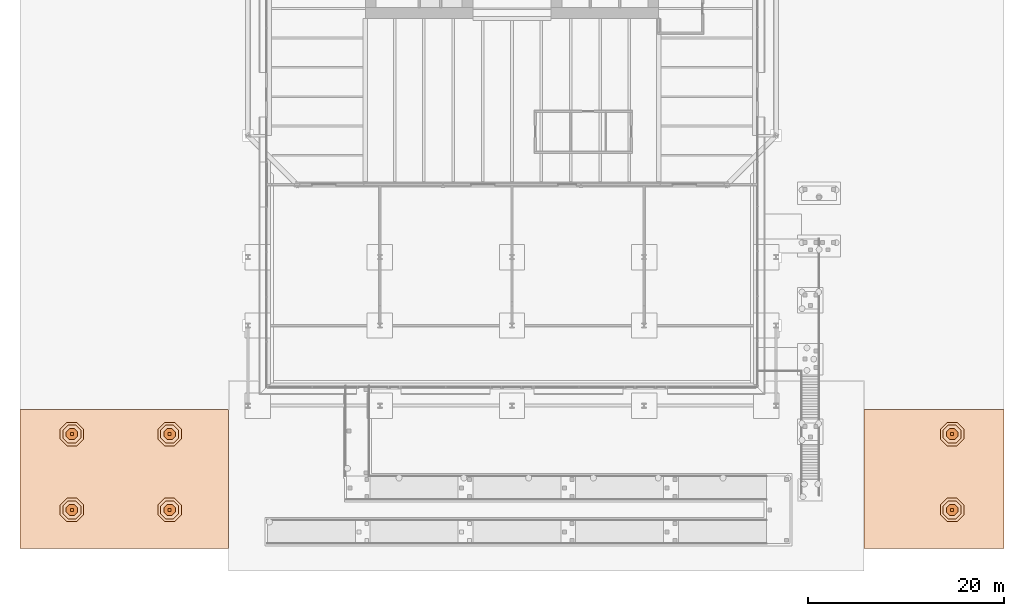
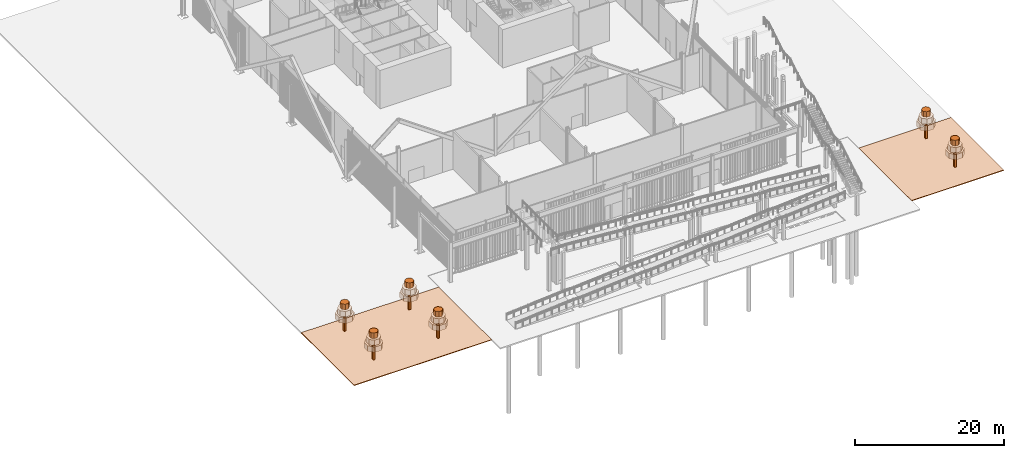
# One storey, part 27 of 28: 26 geographic elements.
"""IFC4 building model written with IfcOpenShell, lengths in metres."""

from ifc_helpers import new_model, si_unit, direction, frame, origin, origin_2d, place, context, subcontext, project, spatial, polyline, rectangle, outline, extrude, material, layer, layer_set, type_object, element, save


model = new_model("IFC4")

# Units and contexts
model_context = context("Model", 3, precision=1e-05, world=origin(), true_north=direction((0.0, 1.0)))
body_context = subcontext(model_context, "Body", "Model", "MODEL_VIEW")
ifc_project = project(units=[si_unit("LENGTHUNIT", "METRE"), si_unit("AREAUNIT", "SQUARE_METRE"), si_unit("VOLUMEUNIT", "CUBIC_METRE"), si_unit("PLANEANGLEUNIT", "RADIAN"), si_unit("MASSUNIT", "GRAM", prefix="KILO")], contexts=[model_context])

# Site, building, storey
site_placement = place(None, origin())
site = spatial("IfcSite", under=ifc_project, at=site_placement, CompositionType="ELEMENT")
building_placement = place(site_placement, origin())
building = spatial("IfcBuilding", under=site, at=building_placement, Name="Millrace Tower", CompositionType="ELEMENT")
storey_placement = place(building_placement, origin())
storey = spatial("IfcBuildingStorey", under=building, at=storey_placement, Name="L01", CompositionType="ELEMENT", Elevation=0.0)

# Geographic elements
ifc_material_1 = material(Name="Planting")
ifc_layer = layer(ifc_material_1, 0.10009765625)
ifc_layer_set = layer_set([ifc_layer], Name="Planting")
geographic_element_type_1 = type_object("IfcGeographicElementType", Name="GARDEN lawn", PredefinedType="USERDEFINED", material=ifc_layer_set)
placement_1 = place(storey_placement, frame((0.0, 0.0, -0.10009765625)))
element("IfcGeographicElement", 1, at=placement_1, inside=storey, type_object=geographic_element_type_1, Name="Garden lawn 1", ObjectType="LAWN", PredefinedType="USERDEFINED", context=body_context, shape_type="SweptSolid", body=[
    extrude(outline(polyline([(-50.300048828125, -64.199951171875), (-50.300048828125, -50.0), (-29.0, -50.0), (-29.0, -64.199951171875), (-50.300048828125, -64.199951171875)])), origin(), (0.0, 0.0, 1.0), 0.10009765625),
])
element("IfcGeographicElement", 2, at=placement_1, inside=storey, type_object=geographic_element_type_1, Name="Garden lawn 2", ObjectType="LAWN", PredefinedType="USERDEFINED", context=body_context, shape_type="SweptSolid", body=[
    extrude(outline(polyline([(50.300048828125, -50.0), (50.300048828125, -64.199951171875), (36.0, -64.199951171875), (36.0, -50.0), (50.300048828125, -50.0)])), origin(), (0.0, 0.0, 1.0), 0.10009765625),
])
ifc_material_2 = material(Name="Planting tree crown")
geographic_element_type_2 = type_object("IfcGeographicElementType", Name="Tree crown", PredefinedType="USERDEFINED", material=ifc_material_2)
placement_2 = place(storey_placement, frame((0.0, 0.0, 2.0)))
element("IfcGeographicElement", 3, at=placement_2, inside=storey, type_object=geographic_element_type_2, Name="Tree crown GARDEN-01 tier 1", ObjectType="TREE", PredefinedType="USERDEFINED", context=body_context, shape_type="SweptSolid", body=[
    extrude(outline(polyline([(-43.799072265625, -52.00244140625), (-44.50244140625, -51.299072265625), (-45.49755859375, -51.299072265625), (-46.200927734375, -52.00244140625), (-46.200927734375, -52.99755859375), (-45.49755859375, -53.700927734375), (-44.50244140625, -53.700927734375), (-43.799072265625, -52.99755859375), (-43.799072265625, -52.00244140625)])), origin(), (0.0, 0.0, 1.0), 0.89990234375),
])
placement_3 = place(storey_placement, frame((0.0, 0.0, 2.89990234375)))
element("IfcGeographicElement", 4, at=placement_3, inside=storey, type_object=geographic_element_type_2, Name="Tree crown GARDEN-01 tier 2", ObjectType="TREE", PredefinedType="USERDEFINED", context=body_context, shape_type="SweptSolid", body=[
    extrude(outline(polyline([(-44.076171875, -52.1171875), (-44.6171875, -51.576171875), (-45.3828125, -51.576171875), (-45.923828125, -52.1171875), (-45.923828125, -52.8828125), (-45.3828125, -53.423828125), (-44.6171875, -53.423828125), (-44.076171875, -52.8828125), (-44.076171875, -52.1171875)])), origin(), (0.0, 0.0, 1.0), 0.900146484375),
])
placement_4 = place(storey_placement, frame((0.0, 0.0, 3.800048828125)))
element("IfcGeographicElement", 5, at=placement_4, inside=storey, type_object=geographic_element_type_2, Name="Tree crown GARDEN-01 tier 3", ObjectType="TREE", PredefinedType="USERDEFINED", context=body_context, shape_type="SweptSolid", body=[
    extrude(outline(polyline([(-44.42724609375, -52.2626953125), (-44.7626953125, -51.92724609375), (-45.2373046875, -51.92724609375), (-45.57275390625, -52.2626953125), (-45.57275390625, -52.7373046875), (-45.2373046875, -53.07275390625), (-44.7626953125, -53.07275390625), (-44.42724609375, -52.7373046875), (-44.42724609375, -52.2626953125)])), origin(), (0.0, 0.0, 1.0), 0.89990234375),
])
element("IfcGeographicElement", 6, at=placement_2, inside=storey, type_object=geographic_element_type_2, Name="Tree crown GARDEN-02 tier 1", ObjectType="TREE", PredefinedType="USERDEFINED", context=body_context, shape_type="SweptSolid", body=[
    extrude(outline(polyline([(-33.799072265625, -52.00244140625), (-34.50244140625, -51.299072265625), (-35.49755859375, -51.299072265625), (-36.200927734375, -52.00244140625), (-36.200927734375, -52.99755859375), (-35.49755859375, -53.700927734375), (-34.50244140625, -53.700927734375), (-33.799072265625, -52.99755859375), (-33.799072265625, -52.00244140625)])), origin(), (0.0, 0.0, 1.0), 0.89990234375),
])
element("IfcGeographicElement", 7, at=placement_3, inside=storey, type_object=geographic_element_type_2, Name="Tree crown GARDEN-02 tier 2", ObjectType="TREE", PredefinedType="USERDEFINED", context=body_context, shape_type="SweptSolid", body=[
    extrude(outline(polyline([(-34.076171875, -52.1171875), (-34.6171875, -51.576171875), (-35.3828125, -51.576171875), (-35.923828125, -52.1171875), (-35.923828125, -52.8828125), (-35.3828125, -53.423828125), (-34.6171875, -53.423828125), (-34.076171875, -52.8828125), (-34.076171875, -52.1171875)])), origin(), (0.0, 0.0, 1.0), 0.900146484375),
])
element("IfcGeographicElement", 8, at=placement_4, inside=storey, type_object=geographic_element_type_2, Name="Tree crown GARDEN-02 tier 3", ObjectType="TREE", PredefinedType="USERDEFINED", context=body_context, shape_type="SweptSolid", body=[
    extrude(outline(polyline([(-34.42724609375, -52.2626953125), (-34.7626953125, -51.92724609375), (-35.2373046875, -51.92724609375), (-35.57275390625, -52.2626953125), (-35.57275390625, -52.7373046875), (-35.2373046875, -53.07275390625), (-34.7626953125, -53.07275390625), (-34.42724609375, -52.7373046875), (-34.42724609375, -52.2626953125)])), origin(), (0.0, 0.0, 1.0), 0.89990234375),
])
element("IfcGeographicElement", 9, at=placement_2, inside=storey, type_object=geographic_element_type_2, Name="Tree crown GARDEN-03 tier 1", ObjectType="TREE", PredefinedType="USERDEFINED", context=body_context, shape_type="SweptSolid", body=[
    extrude(outline(polyline([(46.200927734375, -52.00244140625), (45.49755859375, -51.299072265625), (44.50244140625, -51.299072265625), (43.799072265625, -52.00244140625), (43.799072265625, -52.99755859375), (44.50244140625, -53.700927734375), (45.49755859375, -53.700927734375), (46.200927734375, -52.99755859375), (46.200927734375, -52.00244140625)])), origin(), (0.0, 0.0, 1.0), 0.89990234375),
])
element("IfcGeographicElement", 10, at=placement_3, inside=storey, type_object=geographic_element_type_2, Name="Tree crown GARDEN-03 tier 2", ObjectType="TREE", PredefinedType="USERDEFINED", context=body_context, shape_type="SweptSolid", body=[
    extrude(outline(polyline([(45.923828125, -52.1171875), (45.3828125, -51.576171875), (44.6171875, -51.576171875), (44.076171875, -52.1171875), (44.076171875, -52.8828125), (44.6171875, -53.423828125), (45.3828125, -53.423828125), (45.923828125, -52.8828125), (45.923828125, -52.1171875)])), origin(), (0.0, 0.0, 1.0), 0.900146484375),
])
element("IfcGeographicElement", 11, at=placement_4, inside=storey, type_object=geographic_element_type_2, Name="Tree crown GARDEN-03 tier 3", ObjectType="TREE", PredefinedType="USERDEFINED", context=body_context, shape_type="SweptSolid", body=[
    extrude(outline(polyline([(45.57275390625, -52.2626953125), (45.2373046875, -51.92724609375), (44.7626953125, -51.92724609375), (44.42724609375, -52.2626953125), (44.42724609375, -52.7373046875), (44.7626953125, -53.07275390625), (45.2373046875, -53.07275390625), (45.57275390625, -52.7373046875), (45.57275390625, -52.2626953125)])), origin(), (0.0, 0.0, 1.0), 0.89990234375),
])
element("IfcGeographicElement", 12, at=placement_2, inside=storey, type_object=geographic_element_type_2, Name="Tree crown GARDEN-04 tier 1", ObjectType="TREE", PredefinedType="USERDEFINED", context=body_context, shape_type="SweptSolid", body=[
    extrude(outline(polyline([(-43.799072265625, -59.75244140625), (-44.50244140625, -59.049072265625), (-45.49755859375, -59.049072265625), (-46.200927734375, -59.75244140625), (-46.200927734375, -60.74755859375), (-45.49755859375, -61.450927734375), (-44.50244140625, -61.450927734375), (-43.799072265625, -60.74755859375), (-43.799072265625, -59.75244140625)])), origin(), (0.0, 0.0, 1.0), 0.89990234375),
])
element("IfcGeographicElement", 13, at=placement_3, inside=storey, type_object=geographic_element_type_2, Name="Tree crown GARDEN-04 tier 2", ObjectType="TREE", PredefinedType="USERDEFINED", context=body_context, shape_type="SweptSolid", body=[
    extrude(outline(polyline([(-44.076171875, -59.8671875), (-44.6171875, -59.326171875), (-45.3828125, -59.326171875), (-45.923828125, -59.8671875), (-45.923828125, -60.6328125), (-45.3828125, -61.173828125), (-44.6171875, -61.173828125), (-44.076171875, -60.6328125), (-44.076171875, -59.8671875)])), origin(), (0.0, 0.0, 1.0), 0.900146484375),
])
element("IfcGeographicElement", 14, at=placement_4, inside=storey, type_object=geographic_element_type_2, Name="Tree crown GARDEN-04 tier 3", ObjectType="TREE", PredefinedType="USERDEFINED", context=body_context, shape_type="SweptSolid", body=[
    extrude(outline(polyline([(-44.42724609375, -60.0126953125), (-44.7626953125, -59.67724609375), (-45.2373046875, -59.67724609375), (-45.57275390625, -60.0126953125), (-45.57275390625, -60.4873046875), (-45.2373046875, -60.82275390625), (-44.7626953125, -60.82275390625), (-44.42724609375, -60.4873046875), (-44.42724609375, -60.0126953125)])), origin(), (0.0, 0.0, 1.0), 0.89990234375),
])
element("IfcGeographicElement", 15, at=placement_2, inside=storey, type_object=geographic_element_type_2, Name="Tree crown GARDEN-05 tier 1", ObjectType="TREE", PredefinedType="USERDEFINED", context=body_context, shape_type="SweptSolid", body=[
    extrude(outline(polyline([(-33.799072265625, -59.75244140625), (-34.50244140625, -59.049072265625), (-35.49755859375, -59.049072265625), (-36.200927734375, -59.75244140625), (-36.200927734375, -60.74755859375), (-35.49755859375, -61.450927734375), (-34.50244140625, -61.450927734375), (-33.799072265625, -60.74755859375), (-33.799072265625, -59.75244140625)])), origin(), (0.0, 0.0, 1.0), 0.89990234375),
])
element("IfcGeographicElement", 16, at=placement_3, inside=storey, type_object=geographic_element_type_2, Name="Tree crown GARDEN-05 tier 2", ObjectType="TREE", PredefinedType="USERDEFINED", context=body_context, shape_type="SweptSolid", body=[
    extrude(outline(polyline([(-34.076171875, -59.8671875), (-34.6171875, -59.326171875), (-35.3828125, -59.326171875), (-35.923828125, -59.8671875), (-35.923828125, -60.6328125), (-35.3828125, -61.173828125), (-34.6171875, -61.173828125), (-34.076171875, -60.6328125), (-34.076171875, -59.8671875)])), origin(), (0.0, 0.0, 1.0), 0.900146484375),
])
element("IfcGeographicElement", 17, at=placement_4, inside=storey, type_object=geographic_element_type_2, Name="Tree crown GARDEN-05 tier 3", ObjectType="TREE", PredefinedType="USERDEFINED", context=body_context, shape_type="SweptSolid", body=[
    extrude(outline(polyline([(-34.42724609375, -60.0126953125), (-34.7626953125, -59.67724609375), (-35.2373046875, -59.67724609375), (-35.57275390625, -60.0126953125), (-35.57275390625, -60.4873046875), (-35.2373046875, -60.82275390625), (-34.7626953125, -60.82275390625), (-34.42724609375, -60.4873046875), (-34.42724609375, -60.0126953125)])), origin(), (0.0, 0.0, 1.0), 0.89990234375),
])
element("IfcGeographicElement", 18, at=placement_2, inside=storey, type_object=geographic_element_type_2, Name="Tree crown GARDEN-06 tier 1", ObjectType="TREE", PredefinedType="USERDEFINED", context=body_context, shape_type="SweptSolid", body=[
    extrude(outline(polyline([(46.200927734375, -59.75244140625), (45.49755859375, -59.049072265625), (44.50244140625, -59.049072265625), (43.799072265625, -59.75244140625), (43.799072265625, -60.74755859375), (44.50244140625, -61.450927734375), (45.49755859375, -61.450927734375), (46.200927734375, -60.74755859375), (46.200927734375, -59.75244140625)])), origin(), (0.0, 0.0, 1.0), 0.89990234375),
])
element("IfcGeographicElement", 19, at=placement_3, inside=storey, type_object=geographic_element_type_2, Name="Tree crown GARDEN-06 tier 2", ObjectType="TREE", PredefinedType="USERDEFINED", context=body_context, shape_type="SweptSolid", body=[
    extrude(outline(polyline([(45.923828125, -59.8671875), (45.3828125, -59.326171875), (44.6171875, -59.326171875), (44.076171875, -59.8671875), (44.076171875, -60.6328125), (44.6171875, -61.173828125), (45.3828125, -61.173828125), (45.923828125, -60.6328125), (45.923828125, -59.8671875)])), origin(), (0.0, 0.0, 1.0), 0.900146484375),
])
element("IfcGeographicElement", 20, at=placement_4, inside=storey, type_object=geographic_element_type_2, Name="Tree crown GARDEN-06 tier 3", ObjectType="TREE", PredefinedType="USERDEFINED", context=body_context, shape_type="SweptSolid", body=[
    extrude(outline(polyline([(45.57275390625, -60.0126953125), (45.2373046875, -59.67724609375), (44.7626953125, -59.67724609375), (44.42724609375, -60.0126953125), (44.42724609375, -60.4873046875), (44.7626953125, -60.82275390625), (45.2373046875, -60.82275390625), (45.57275390625, -60.4873046875), (45.57275390625, -60.0126953125)])), origin(), (0.0, 0.0, 1.0), 0.89990234375),
])
ifc_material_3 = material(Name="Timber trunk", Category="wood")
geographic_element_type_3 = type_object("IfcGeographicElementType", Name="Tree trunk", PredefinedType="USERDEFINED", material=ifc_material_3)
for number, where, z_axis, x_axis, name in (
    (21, (-45.0, -52.5, 0.0), (0.0, 0.0, 1.0), (1.0, 0.0, 0.0), "Tree trunk GARDEN-01"),
    (22, (-35.0, -52.5, 0.0), (0.0, 0.0, 1.0), (1.0, 0.0, 0.0), "Tree trunk GARDEN-02"),
    (23, (45.0, -52.5, 0.0), (0.0, 0.0, 1.0), (1.0, 0.0, 0.0), "Tree trunk GARDEN-03"),
    (24, (-45.0, -60.25, 0.0), (0.0, 0.0, 1.0), (1.0, 0.0, 0.0), "Tree trunk GARDEN-04"),
    (25, (-35.0, -60.25, 0.0), (0.0, 0.0, 1.0), (1.0, 0.0, 0.0), "Tree trunk GARDEN-05"),
    (26, (45.0, -60.25, 0.0), (0.0, 0.0, 1.0), (1.0, 0.0, 0.0), "Tree trunk GARDEN-06"),
):
    element("IfcGeographicElement", number, at=place(storey_placement, frame(where, z_axis=z_axis, x_axis=x_axis)), inside=storey, type_object=geographic_element_type_3, Name=name, ObjectType="TREE", PredefinedType="USERDEFINED", context=body_context, shape_type="SweptSolid", body=[
        extrude(rectangle(XDim=0.300048828125, YDim=0.300048828125, at=origin_2d()), origin(), (0.0, 0.0, 1.0), 2.199951171875),
    ])

save(model, "model.ifc")
